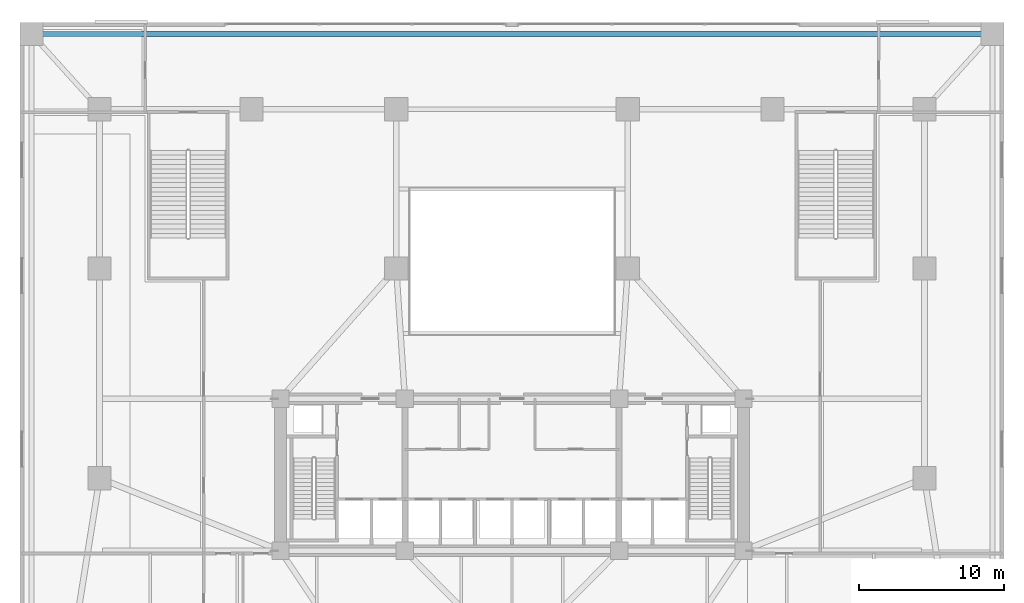
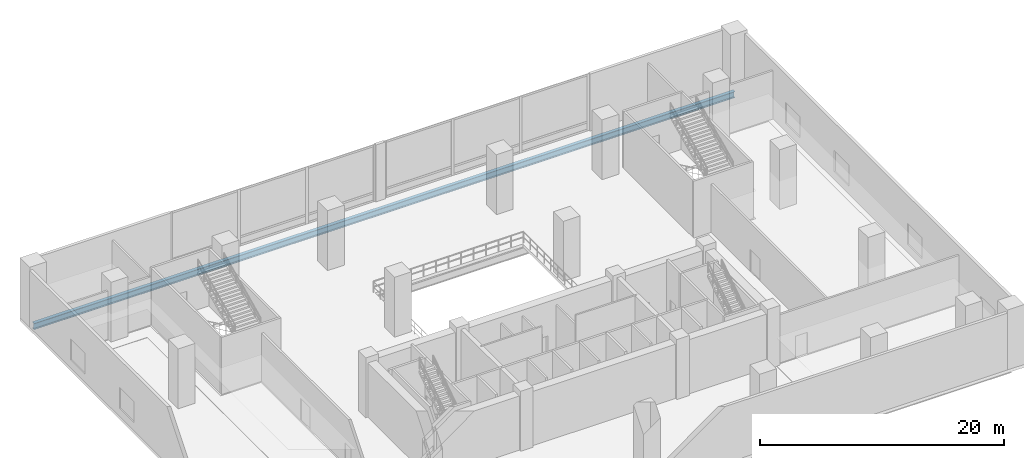
# One storey, part 3 of 16: 1 beam.
"""IFC4 building model written with IfcOpenShell, lengths in metres."""

from ifc_helpers import new_model, si_unit, direction, frame, origin, origin_2d, place, context, subcontext, project, spatial, i_section, extrude, material, material_profile, profile_set, type_object, element, save


model = new_model("IFC4")

# Units and contexts
model_context = context("Model", 3, precision=1e-05, world=origin(), true_north=direction((0.0, 1.0)))
body_context = subcontext(model_context, "Body", "Model", "MODEL_VIEW")
ifc_project = project(units=[si_unit("LENGTHUNIT", "METRE"), si_unit("AREAUNIT", "SQUARE_METRE"), si_unit("VOLUMEUNIT", "CUBIC_METRE"), si_unit("PLANEANGLEUNIT", "RADIAN"), si_unit("MASSUNIT", "GRAM", prefix="KILO")], contexts=[model_context])

# Site, building, storey
site_placement = place(None, origin())
site = spatial("IfcSite", under=ifc_project, at=site_placement, CompositionType="ELEMENT")
building_placement = place(site_placement, origin())
building = spatial("IfcBuilding", under=site, at=building_placement, Name="Solmavex Isthmus Hotel", CompositionType="ELEMENT")
storey_placement = place(building_placement, frame((0.0, 0.0, 5.39990234375)))
storey = spatial("IfcBuildingStorey", under=building, at=storey_placement, Name="L02", CompositionType="ELEMENT", Elevation=5.39990234375)

# Beam
ifc_material = material(Name="Steel ASTM A992 Grade 50", Category="steel")
ifc_material_profile = material_profile(ifc_material, i_section(OverallWidth=0.326416015625, OverallDepth=0.621826171875, WebThickness=0.015380859375, FlangeThickness=0.0244140625, FilletRadius=0.01513671875, at=origin_2d()), Name="W24X131")
ifc_profile_set = profile_set([ifc_material_profile], Name="Steel ASTM A992 Grade 50")
beam_type = type_object("IfcBeamType", Name="BM-SP-W24X131", PredefinedType="SPANDREL", material=ifc_profile_set)
beam_placement = place(storey_placement, frame((33.199951171875, 22.699951171875, -0.61083984375), z_axis=(-1.0, 0.0, 0.0), x_axis=(0.0, -1.0, 0.0)))
element("IfcBeam", 1, at=beam_placement, inside=storey, type_object=beam_type, Name="Podium Edge Spandrel L02-SP02", PredefinedType="SPANDREL", context=body_context, shape_type="SweptSolid", body=[
    extrude(i_section(OverallWidth=0.326416015625, OverallDepth=0.621826171875, WebThickness=0.015380859375, FlangeThickness=0.0244140625, FilletRadius=0.01513671875, at=origin_2d()), origin(), (0.0, 0.0, 1.0), 66.39990234375),
])

save(model, "model.ifc")
